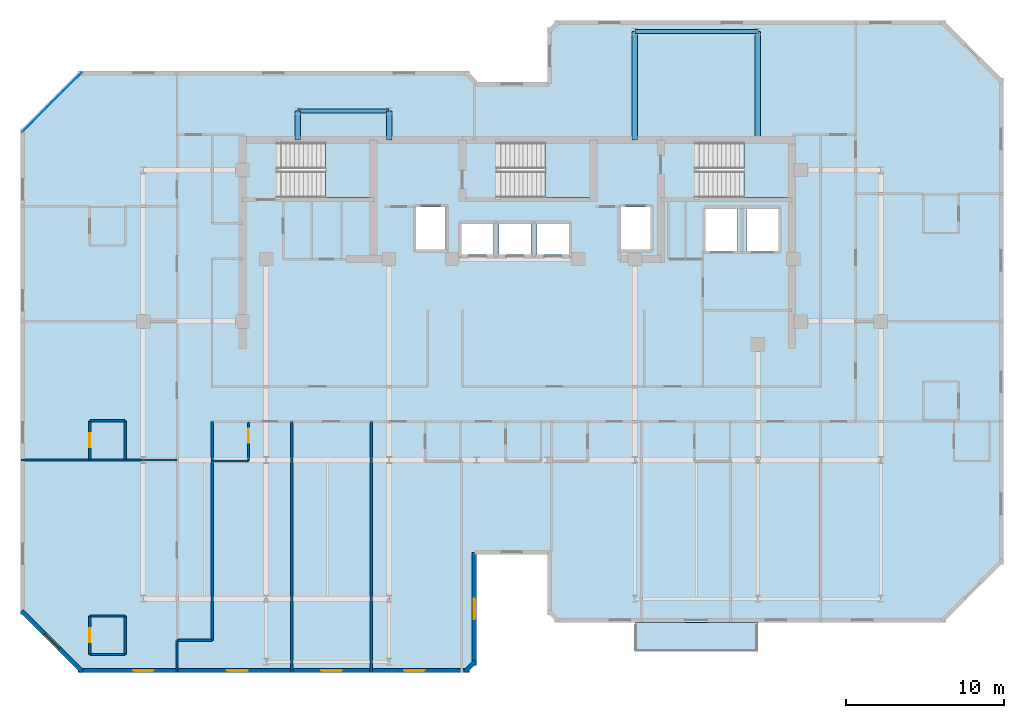
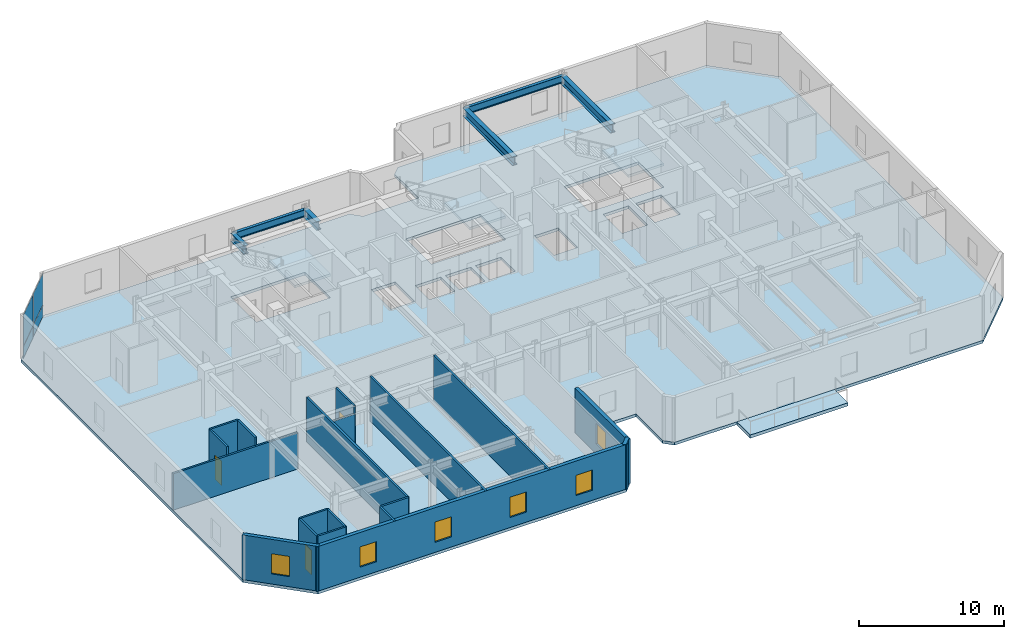
# One storey, part 3 of 11: 19 walls, 6 beams, 6 windows, 5 slabs, 4 plates, 3 doors, 9 openings, 4 elements without a shape of their own.
"""IFC4 building model written with IfcOpenShell, lengths in metres."""

from ifc_helpers import new_model, si_unit, direction, frame, frame_2d, origin, origin_2d, place, context, subcontext, project, spatial, polyline, rectangle, i_section, outline, extrude, material, layer, layer_set, material_profile, profile_set, type_object, element, fill, aggregate, save


model = new_model("IFC4")

# Units and contexts
model_context = context("Model", 3, precision=1e-05, world=origin(), true_north=direction((0.0, 1.0)))
body_context = subcontext(model_context, "Body", "Model", "MODEL_VIEW")
ifc_project = project(units=[si_unit("LENGTHUNIT", "METRE"), si_unit("AREAUNIT", "SQUARE_METRE"), si_unit("VOLUMEUNIT", "CUBIC_METRE"), si_unit("PLANEANGLEUNIT", "RADIAN"), si_unit("MASSUNIT", "GRAM", prefix="KILO")], contexts=[model_context])

# Site, building, storey
site_placement = place(None, origin())
site = spatial("IfcSite", under=ifc_project, at=site_placement, CompositionType="ELEMENT")
building_placement = place(site_placement, origin())
building = spatial("IfcBuilding", under=site, at=building_placement, Name="Kestravale Grand Hotel", CompositionType="ELEMENT")
storey_placement = place(building_placement, frame((0.0, 0.0, 289.39990234375)))
storey = spatial("IfcBuildingStorey", under=building, at=storey_placement, Name="L72", CompositionType="ELEMENT", Elevation=289.39990234375)

# Beams
ifc_material_1 = material(Name="Steel ASTM A992 Grade 50", Category="steel")
ifc_material_profile_1 = material_profile(ifc_material_1, i_section(OverallWidth=0.22900390625, OverallDepth=0.612060546875, WebThickness=0.011962890625, FlangeThickness=0.01953125, FilletRadius=0.019287109375, at=origin_2d()))
ifc_profile_set_1 = profile_set([ifc_material_profile_1], Name="Steel ASTM A992 Grade 50")
beam_type_1 = type_object("IfcBeamType", Name="B-FLR-W24B", PredefinedType="SPANDREL", material=ifc_profile_set_1)
beam_1_placement = place(storey_placement, frame((46.800048828125, 47.199951171875, 3.4541015625), z_axis=(1.0, 0.0, 0.0), x_axis=(0.0, 1.0, 0.0)))
element("IfcBeam", 1, at=beam_1_placement, inside=storey, type_object=beam_type_1, Name="L72 spandrel G:8-9", PredefinedType="SPANDREL", context=body_context, shape_type="SweptSolid", body=[
    extrude(i_section(OverallWidth=0.22900390625, OverallDepth=0.612060546875, WebThickness=0.011962890625, FlangeThickness=0.01953125, FilletRadius=0.019287109375, at=origin_2d()), origin(), (0.0, 0.0, 1.0), 7.800048828125),
])
beam_2_placement = place(storey_placement, frame((25.39990234375, 42.14990234375, 3.4541015625), z_axis=(1.0, 0.0, 0.0), x_axis=(0.0, 1.0, 0.0)))
element("IfcBeam", 2, at=beam_2_placement, inside=storey, type_object=beam_type_1, Name="L72 perimeter tie spandrel FN:4-5", PredefinedType="SPANDREL", context=body_context, shape_type="SweptSolid", body=[
    extrude(i_section(OverallWidth=0.22900390625, OverallDepth=0.612060546875, WebThickness=0.011962890625, FlangeThickness=0.01953125, FilletRadius=0.019287109375, at=origin_2d()), origin(), (0.0, 0.0, 1.0), 5.800048828125),
])
ifc_material_2 = material(Name="Steel ASTM A992 Grade 50", Category="steel")
ifc_material_profile_2 = material_profile(ifc_material_2, i_section(OverallWidth=0.35595703125, OverallDepth=0.696044921875, WebThickness=0.015380859375, FlangeThickness=0.02490234375, FilletRadius=0.021240234375, at=origin_2d()))
ifc_profile_set_2 = profile_set([ifc_material_profile_2], Name="Steel ASTM A992 Grade 50")
beam_type_2 = type_object("IfcBeamType", Name="B-GRD-W27", PredefinedType="BEAM", material=ifc_profile_set_2)
for number, where, z_axis, x_axis, name in (
    (3, (25.39990234375, 40.320068359375, 3.412109375), (0.0, 1.0, 0.0), (-1.0, 0.0, 0.0), "L72 north wing tie girder 4:CN-FN"),
    (4, (31.199951171875, 40.320068359375, 3.412109375), (0.0, 1.0, 0.0), (-1.0, 0.0, 0.0), "L72 north wing tie girder 5:CN-FN"),
):
    element("IfcBeam", number, at=place(storey_placement, frame(where, z_axis=z_axis, x_axis=x_axis)), inside=storey, type_object=beam_type_2, Name=name, PredefinedType="BEAM", context=body_context, shape_type="SweptSolid", body=[
        extrude(i_section(OverallWidth=0.35595703125, OverallDepth=0.696044921875, WebThickness=0.015380859375, FlangeThickness=0.02490234375, FilletRadius=0.021240234375, at=origin_2d()), origin(), (0.0, 0.0, 1.0), 1.829833984375),
    ])
for number, where, z_axis, x_axis, name in (
    (5, (46.800048828125, 40.320068359375, 3.412109375), (0.0, 1.0, 0.0), (-1.0, 0.0, 0.0), "L72 north wing tie girder 8:CN-G"),
    (6, (54.60009765625, 40.320068359375, 3.412109375), (0.0, 1.0, 0.0), (-1.0, 0.0, 0.0), "L72 north wing tie girder 9:CN-G"),
):
    element("IfcBeam", number, at=place(storey_placement, frame(where, z_axis=z_axis, x_axis=x_axis)), inside=storey, type_object=beam_type_2, Name=name, PredefinedType="BEAM", context=body_context, shape_type="SweptSolid", body=[
        extrude(i_section(OverallWidth=0.35595703125, OverallDepth=0.696044921875, WebThickness=0.015380859375, FlangeThickness=0.02490234375, FilletRadius=0.021240234375, at=origin_2d()), origin(), (0.0, 0.0, 1.0), 6.8798828125),
    ])

# Curtain wall, plates
ifc_material_3 = material(Name="Thermally broken champagne-bronze aluminium and low-E glazing", Category="aluminium")
ifc_layer_1 = layer(ifc_material_3, 0.179931640625)
ifc_layer_set_1 = layer_set([ifc_layer_1], Name="CW-Z4")
curtain_wall_type = type_object("IfcCurtainWallType", Name="CW-Z4", PredefinedType="NOTDEFINED", material=ifc_layer_set_1)
curtain_wall_placement = place(storey_placement, origin())
curtain_wall = element("IfcCurtainWall", 7, at=curtain_wall_placement, inside=storey, type_object=curtain_wall_type, Name="L72 unitised curtain wall 18", PredefinedType="NOTDEFINED")
ifc_material_4 = material(Name="Insulated clear low-E double glazing IGU", Category="glass")
ifc_layer_2 = layer(ifc_material_4, 0.028076171875)
ifc_layer_set_2 = layer_set([ifc_layer_2], Name="CW-PNL-28")
plate_type = type_object("IfcPlateType", Name="CW-PNL-28", PredefinedType="CURTAIN_PANEL", material=ifc_layer_set_2)
plate_1_placement = place(storey_placement, frame((10.74462890625, 43.646728515625, 0.06494140625), z_axis=(0.0, 0.0, 1.0), x_axis=(-0.707106781187, -0.707106781187, 0.0)))
plate_1 = element("IfcPlate", 8, at=plate_1_placement, type_object=plate_type, Name="CW-Z4 panel 1.1", PredefinedType="CURTAIN_PANEL", context=body_context, shape_type="SweptSolid", body=[
    extrude(rectangle(XDim=2.609619140625, YDim=0.028076171875, at=origin_2d()), origin(), (0.0, 0.0, 1.0), 0.952392578125),
])
plate_2_placement = place(storey_placement, frame((10.74462890625, 43.646728515625, 1.08251953125), z_axis=(0.0, 0.0, 1.0), x_axis=(-0.707106781187, -0.707106781187, 0.0)))
plate_2 = element("IfcPlate", 9, at=plate_2_placement, type_object=plate_type, Name="CW-Z4 panel 1.2", PredefinedType="CURTAIN_PANEL", context=body_context, shape_type="SweptSolid", body=[
    extrude(rectangle(XDim=2.609619140625, YDim=0.028076171875, at=origin_2d()), origin(), (0.0, 0.0, 1.0), 2.612548828125),
])
plate_3_placement = place(storey_placement, frame((8.853271484375, 41.75537109375, 0.06494140625), z_axis=(0.0, 0.0, 1.0), x_axis=(-0.707106781187, -0.707106781187, 0.0)))
plate_3 = element("IfcPlate", 10, at=plate_3_placement, type_object=plate_type, Name="CW-Z4 panel 2.1", PredefinedType="CURTAIN_PANEL", context=body_context, shape_type="SweptSolid", body=[
    extrude(rectangle(XDim=2.609619140625, YDim=0.028076171875, at=origin_2d()), origin(), (0.0, 0.0, 1.0), 0.952392578125),
])
plate_4_placement = place(storey_placement, frame((8.853271484375, 41.75537109375, 1.08251953125), z_axis=(0.0, 0.0, 1.0), x_axis=(-0.707106781187, -0.707106781187, 0.0)))
plate_4 = element("IfcPlate", 11, at=plate_4_placement, type_object=plate_type, Name="CW-Z4 panel 2.2", PredefinedType="CURTAIN_PANEL", context=body_context, shape_type="SweptSolid", body=[
    extrude(rectangle(XDim=2.609619140625, YDim=0.028076171875, at=origin_2d()), origin(), (0.0, 0.0, 1.0), 2.612548828125),
])
aggregate(curtain_wall, [plate_1, plate_2, plate_3, plate_4])

# Slab
ifc_material_5 = material(Name="Concrete f'c 45 MPa", Category="concrete")
ifc_layer_3 = layer(ifc_material_5, 0.27001953125)
ifc_layer_set_3 = layer_set([ifc_layer_3], Name="ES-TERR-270")
slab_type_1 = type_object("IfcSlabType", Name="ES-TERR-270", PredefinedType="FLOOR", material=ifc_layer_set_3)
slab_1_placement = place(storey_placement, frame((0.0, 0.0, -0.27001953125)))
element("IfcSlab", 12, at=slab_1_placement, inside=storey, type_object=slab_type_1, Name="L72 spiralling planted garden terrace", PredefinedType="FLOOR", context=body_context, shape_type="SweptSolid", body=[
    extrude(outline(polyline([(46.800048828125, 7.85009765625), (54.60009765625, 7.85009765625), (54.60009765625, 9.699951171875), (46.800048828125, 9.699951171875), (46.800048828125, 7.85009765625)])), origin(), (0.0, 0.0, 1.0), 0.27001953125),
])

# Stair, slab
ifc_material_6 = material(Name="Concrete f'c 45 MPa", Category="concrete")
stair_type = type_object("IfcStairType", Name="ST-CORE-400", PredefinedType="HALF_TURN_STAIR", material=ifc_material_6)
stair_1_placement = place(storey_placement, origin())
stair_1 = element("IfcStair", 13, at=stair_1_placement, inside=storey, type_object=stair_type, Name="L72 ST-1", PredefinedType="HALF_TURN_STAIR")
ifc_material_7 = material(Name="Concrete f'c 45 MPa", Category="concrete")
ifc_layer_4 = layer(ifc_material_7, 0.199951171875)
ifc_layer_set_4 = layer_set([ifc_layer_4], Name="SLB-ST-LND200")
slab_type_2 = type_object("IfcSlabType", Name="SLB-ST-LND200", PredefinedType="LANDING", material=ifc_layer_set_4)
slab_2_placement = place(storey_placement, frame((0.0, 0.0, 1.800048828125)))
slab_2 = element("IfcSlab", 14, at=slab_2_placement, type_object=slab_type_2, Name="ST-1 landing 1", PredefinedType="LANDING", context=body_context, shape_type="SweptSolid", body=[
    extrude(outline(polyline([(27.159912109375, 36.64990234375), (30.0, 36.64990234375), (30.0, 40.159912109375), (27.159912109375, 40.159912109375), (27.159912109375, 36.64990234375)])), origin(), (0.0, 0.0, 1.0), 0.199951171875),
])
aggregate(stair_1, [slab_2])

stair_2_placement = place(storey_placement, origin())
stair_2 = element("IfcStair", 15, at=stair_2_placement, inside=storey, type_object=stair_type, Name="L72 ST-2", PredefinedType="HALF_TURN_STAIR")
slab_3_placement = place(storey_placement, frame((0.0, 0.0, 1.800048828125)))
slab_3 = element("IfcSlab", 16, at=slab_3_placement, type_object=slab_type_2, Name="ST-2 landing 1", PredefinedType="LANDING", context=body_context, shape_type="SweptSolid", body=[
    extrude(outline(polyline([(41.110107421875, 36.64990234375), (43.949951171875, 36.64990234375), (43.949951171875, 40.159912109375), (41.110107421875, 40.159912109375), (41.110107421875, 36.64990234375)])), origin(), (0.0, 0.0, 1.0), 0.199951171875),
])
aggregate(stair_2, [slab_3])

stair_3_placement = place(storey_placement, origin())
stair_3 = element("IfcStair", 17, at=stair_3_placement, inside=storey, type_object=stair_type, Name="L72 ST-3", PredefinedType="HALF_TURN_STAIR")
slab_4_placement = place(storey_placement, frame((0.0, 0.0, 1.800048828125)))
slab_4 = element("IfcSlab", 18, at=slab_4_placement, type_object=slab_type_2, Name="ST-3 landing 1", PredefinedType="LANDING", context=body_context, shape_type="SweptSolid", body=[
    extrude(outline(polyline([(53.7099609375, 36.64990234375), (56.550048828125, 36.64990234375), (56.550048828125, 40.159912109375), (53.7099609375, 40.159912109375), (53.7099609375, 36.64990234375)])), origin(), (0.0, 0.0, 1.0), 0.199951171875),
])
aggregate(stair_3, [slab_4])

# Slab
ifc_material_8 = material(Name="Concrete f'c 45 MPa", Category="concrete")
ifc_layer_5 = layer(ifc_material_8, 0.239990234375)
ifc_layer_set_5 = layer_set([ifc_layer_5], Name="SS-FLR-240")
slab_type_3 = type_object("IfcSlabType", Name="SS-FLR-240", PredefinedType="FLOOR", material=ifc_layer_set_5)
slab_5_placement = place(storey_placement, frame((0.0, 0.0, -0.239990234375)))
element("IfcSlab", 19, at=slab_5_placement, inside=storey, type_object=slab_type_3, Name="L72 structural floor slab", PredefinedType="FLOOR", context=body_context, shape_type="SweptSolid", body=[
    extrude(outline(polyline([(11.60009765625, 6.5), (36.14990234375, 6.5), (36.75, 7.10009765625), (36.75, 14.0), (41.25, 14.0), (41.25, 10.300048828125), (41.85009765625, 9.699951171875), (66.39990234375, 9.699951171875), (70.199951171875, 13.5), (70.199951171875, 44.10009765625), (66.39990234375, 47.89990234375), (41.85009765625, 47.89990234375), (41.25, 47.300048828125), (41.25, 44.0), (36.75, 44.0), (36.75, 44.10009765625), (36.14990234375, 44.699951171875), (11.60009765625, 44.699951171875), (7.800048828125, 40.89990234375), (7.800048828125, 10.300048828125), (11.60009765625, 6.5)]), holes=[polyline([(24.080078125, 36.64990234375), (30.0, 36.64990234375), (30.0, 40.159912109375), (24.080078125, 40.159912109375), (24.080078125, 36.64990234375)]), polyline([(38.030029296875, 36.64990234375), (43.949951171875, 36.64990234375), (43.949951171875, 40.159912109375), (38.030029296875, 40.159912109375), (38.030029296875, 36.64990234375)]), polyline([(50.6298828125, 36.64990234375), (56.550048828125, 36.64990234375), (56.550048828125, 40.159912109375), (50.6298828125, 40.159912109375), (50.6298828125, 36.64990234375)]), polyline([(35.780029296875, 33.030029296875), (37.820068359375, 33.030029296875), (37.820068359375, 34.969970703125), (35.780029296875, 34.969970703125), (35.780029296875, 33.030029296875)]), polyline([(38.179931640625, 33.030029296875), (40.219970703125, 33.030029296875), (40.219970703125, 34.969970703125), (38.179931640625, 34.969970703125), (38.179931640625, 33.030029296875)]), polyline([(40.580078125, 33.030029296875), (42.6201171875, 33.030029296875), (42.6201171875, 34.969970703125), (40.580078125, 34.969970703125), (40.580078125, 33.030029296875)]), polyline([(32.905029296875, 33.35498046875), (34.794921875, 33.35498046875), (34.794921875, 36.044921875), (32.905029296875, 36.044921875), (32.905029296875, 33.35498046875)]), polyline([(45.905029296875, 33.35498046875), (47.794921875, 33.35498046875), (47.794921875, 36.044921875), (45.905029296875, 36.044921875), (45.905029296875, 33.35498046875)]), polyline([(51.280029296875, 33.280029296875), (53.320068359375, 33.280029296875), (53.320068359375, 35.919921875), (51.280029296875, 35.919921875), (51.280029296875, 33.280029296875)]), polyline([(53.8798828125, 33.280029296875), (55.919921875, 33.280029296875), (55.919921875, 35.919921875), (53.8798828125, 35.919921875), (53.8798828125, 33.280029296875)])]), origin(), (0.0, 0.0, 1.0), 0.239990234375),
])

# Wall, openings, windows
ifc_material_9 = material(Name="Precast concrete f'c 45 MPa", Category="concrete")
ifc_layer_6 = layer(ifc_material_9, 0.280029296875)
ifc_layer_set_6 = layer_set([ifc_layer_6], Name="EW-PREC-280")
wall_type_1 = type_object("IfcWallType", Name="EW-PREC-280", PredefinedType="SOLIDWALL", material=ifc_layer_set_6)
wall_1_placement = place(storey_placement, frame((11.4599609375, 6.639892578125, 0.0), z_axis=(0.0, 0.0, 1.0), x_axis=(1.0, 0.0, 0.0)))
wall_1 = element("IfcWall", 20, at=wall_1_placement, inside=storey, type_object=wall_type_1, Name="L72 fluted precast facade wall 1", PredefinedType="SOLIDWALL", context=body_context, shape_type="SweptSolid", body=[
    extrude(rectangle(XDim=24.830078125, YDim=0.280029296875, at=frame_2d((12.4150390625, 0.0))), origin(), (0.0, 0.0, 1.0), 3.760009765625),
])
opening_1_placement = place(wall_1_placement, frame((3.48828125, 0.0, 0.85009765625)))
opening_1 = element("IfcOpeningElement", 21, at=opening_1_placement, cuts=wall_1, Name="Opening W-GUEST-1300", PredefinedType="OPENING", context=body_context, shape_type="SweptSolid", body=[
    extrude(rectangle(XDim=1.300048828125, YDim=1.699951171875, at=frame_2d((0.64990234375, 0.85009765625))), frame((0.0, 0.14990234375, 0.0), z_axis=(0.0, -1.0, 0.0), x_axis=(1.0, 0.0, 0.0)), (0.0, 0.0, 1.0), 0.300048828125),
])
opening_2_placement = place(wall_1_placement, frame((20.691650390625, 0.0, 0.85009765625)))
opening_2 = element("IfcOpeningElement", 22, at=opening_2_placement, cuts=wall_1, Name="Opening W-GUEST-1300", PredefinedType="OPENING", context=body_context, shape_type="SweptSolid", body=[
    extrude(rectangle(XDim=1.300048828125, YDim=1.699951171875, at=frame_2d((0.64990234375, 0.85009765625))), frame((0.0, 0.14990234375, 0.0), z_axis=(0.0, -1.0, 0.0), x_axis=(1.0, 0.0, 0.0)), (0.0, 0.0, 1.0), 0.300048828125),
])
opening_3_placement = place(wall_1_placement, frame((9.47509765625, 0.0, 0.85009765625)))
opening_3 = element("IfcOpeningElement", 23, at=opening_3_placement, cuts=wall_1, Name="Opening W-GUEST-1300", PredefinedType="OPENING", context=body_context, shape_type="SweptSolid", body=[
    extrude(rectangle(XDim=1.300048828125, YDim=1.699951171875, at=frame_2d((0.64990234375, 0.85009765625))), frame((0.0, 0.14990234375, 0.0), z_axis=(0.0, -1.0, 0.0), x_axis=(1.0, 0.0, 0.0)), (0.0, 0.0, 1.0), 0.300048828125),
])
opening_4_placement = place(wall_1_placement, frame((15.43505859375, 0.0, 0.85009765625)))
opening_4 = element("IfcOpeningElement", 24, at=opening_4_placement, cuts=wall_1, Name="Opening W-GUEST-1300", PredefinedType="OPENING", context=body_context, shape_type="SweptSolid", body=[
    extrude(rectangle(XDim=1.300048828125, YDim=1.699951171875, at=frame_2d((0.64990234375, 0.85009765625))), frame((0.0, 0.14990234375, 0.0), z_axis=(0.0, -1.0, 0.0), x_axis=(1.0, 0.0, 0.0)), (0.0, 0.0, 1.0), 0.300048828125),
])
ifc_material_10 = material(Name="Insulated low-E double glazing in aluminium frame", Category="aluminium")
window_type = type_object("IfcWindowType", Name="W-GUEST-1300", PartitioningType="SINGLE_PANEL", PredefinedType="WINDOW", material=ifc_material_10)
window_1_placement = place(opening_1_placement, origin())
window_1 = element("IfcWindow", 25, at=window_1_placement, inside=storey, type_object=window_type, Name="L72 exterior window 1.1", OverallHeight=1.699951171875, OverallWidth=1.300048828125, PartitioningType="SINGLE_PANEL", PredefinedType="WINDOW", context=body_context, shape_type="SweptSolid", body=[
    extrude(rectangle(XDim=1.300048828125, YDim=1.699951171875, at=frame_2d((0.64990234375, 0.85009765625))), frame((0.0, 0.030029296875, 0.0), z_axis=(0.0, -1.0, 0.0), x_axis=(1.0, 0.0, 0.0)), (0.0, 0.0, 1.0), 0.06005859375),
])
fill(opening_1, window_1)
window_2_placement = place(opening_2_placement, origin())
window_2 = element("IfcWindow", 26, at=window_2_placement, inside=storey, type_object=window_type, Name="L72 exterior window 1.2", OverallHeight=1.699951171875, OverallWidth=1.300048828125, PartitioningType="SINGLE_PANEL", PredefinedType="WINDOW", context=body_context, shape_type="SweptSolid", body=[
    extrude(rectangle(XDim=1.300048828125, YDim=1.699951171875, at=frame_2d((0.64990234375, 0.85009765625))), frame((0.0, 0.030029296875, 0.0), z_axis=(0.0, -1.0, 0.0), x_axis=(1.0, 0.0, 0.0)), (0.0, 0.0, 1.0), 0.06005859375),
])
fill(opening_2, window_2)
window_3_placement = place(opening_3_placement, origin())
window_3 = element("IfcWindow", 27, at=window_3_placement, inside=storey, type_object=window_type, Name="L72 guestroom envelope window 1", OverallHeight=1.699951171875, OverallWidth=1.300048828125, PartitioningType="SINGLE_PANEL", PredefinedType="WINDOW", context=body_context, shape_type="SweptSolid", body=[
    extrude(rectangle(XDim=1.300048828125, YDim=1.699951171875, at=frame_2d((0.64990234375, 0.85009765625))), frame((0.0, 0.030029296875, 0.0), z_axis=(0.0, -1.0, 0.0), x_axis=(1.0, 0.0, 0.0)), (0.0, 0.0, 1.0), 0.06005859375),
])
fill(opening_3, window_3)
window_4_placement = place(opening_4_placement, origin())
window_4 = element("IfcWindow", 28, at=window_4_placement, inside=storey, type_object=window_type, Name="L72 guestroom envelope window 2", OverallHeight=1.699951171875, OverallWidth=1.300048828125, PartitioningType="SINGLE_PANEL", PredefinedType="WINDOW", context=body_context, shape_type="SweptSolid", body=[
    extrude(rectangle(XDim=1.300048828125, YDim=1.699951171875, at=frame_2d((0.64990234375, 0.85009765625))), frame((0.0, 0.030029296875, 0.0), z_axis=(0.0, -1.0, 0.0), x_axis=(1.0, 0.0, 0.0)), (0.0, 0.0, 1.0), 0.06005859375),
])
fill(opening_4, window_4)

# Wall
wall_2_placement = place(storey_placement, frame((36.022705078125, 6.57080078125, 0.0), z_axis=(0.0, 0.0, 1.0), x_axis=(0.707106781187, 0.707106781187, 0.0)))
element("IfcWall", 29, at=wall_2_placement, inside=storey, type_object=wall_type_1, Name="L72 fluted precast facade wall 2", PredefinedType="SOLIDWALL", context=body_context, shape_type="SweptSolid", body=[
    extrude(rectangle(XDim=0.928466796875, YDim=0.280029296875, at=frame_2d((0.46435546875, 0.0))), origin(), (0.0, 0.0, 1.0), 3.760009765625),
])

# Wall, opening, window
wall_3_placement = place(storey_placement, frame((36.610107421875, 6.9599609375, 0.0), z_axis=(0.0, 0.0, 1.0), x_axis=(0.0, 1.0, 0.0)))
wall_3 = element("IfcWall", 30, at=wall_3_placement, inside=storey, type_object=wall_type_1, Name="L72 fluted precast facade wall 3", PredefinedType="SOLIDWALL", context=body_context, shape_type="SweptSolid", body=[
    extrude(rectangle(XDim=7.179931640625, YDim=0.280029296875, at=frame_2d((3.58984375, 0.0))), origin(), (0.0, 0.0, 1.0), 3.760009765625),
])
opening_5_placement = place(wall_3_placement, frame((2.93994140625, 0.0, 0.85009765625)))
opening_5 = element("IfcOpeningElement", 31, at=opening_5_placement, cuts=wall_3, Name="Opening W-GUEST-1300", PredefinedType="OPENING", context=body_context, shape_type="SweptSolid", body=[
    extrude(rectangle(XDim=1.300048828125, YDim=1.699951171875, at=frame_2d((0.64990234375, 0.85009765625))), frame((0.0, 0.14990234375, 0.0), z_axis=(0.0, -1.0, 0.0), x_axis=(1.0, 0.0, 0.0)), (0.0, 0.0, 1.0), 0.300048828125),
])
window_5_placement = place(opening_5_placement, origin())
window_5 = element("IfcWindow", 32, at=window_5_placement, inside=storey, type_object=window_type, Name="L72 exterior window 3.1", OverallHeight=1.699951171875, OverallWidth=1.300048828125, PartitioningType="SINGLE_PANEL", PredefinedType="WINDOW", context=body_context, shape_type="SweptSolid", body=[
    extrude(rectangle(XDim=1.300048828125, YDim=1.699951171875, at=frame_2d((0.64990234375, 0.85009765625))), frame((0.0, 0.030029296875, 0.0), z_axis=(0.0, -1.0, 0.0), x_axis=(1.0, 0.0, 0.0)), (0.0, 0.0, 1.0), 0.06005859375),
])
fill(opening_5, window_5)

wall_4_placement = place(storey_placement, frame((7.87060546875, 10.42724609375, 0.0), z_axis=(0.0, 0.0, 1.0), x_axis=(0.707129162587, -0.707084399077, 0.0)))
wall_4 = element("IfcWall", 33, at=wall_4_placement, inside=storey, type_object=wall_type_1, Name="L72 fluted precast facade wall 20", PredefinedType="SOLIDWALL", context=body_context, shape_type="SweptSolid", body=[
    extrude(rectangle(XDim=5.4541015625, YDim=0.280029296875, at=frame_2d((2.72705078125, 0.0))), origin(), (0.0, 0.0, 1.0), 3.760009765625),
])
opening_6_placement = place(wall_4_placement, frame((2.076904296875, 0.0, 0.85009765625)))
opening_6 = element("IfcOpeningElement", 34, at=opening_6_placement, cuts=wall_4, Name="Opening W-GUEST-1300", PredefinedType="OPENING", context=body_context, shape_type="SweptSolid", body=[
    extrude(rectangle(XDim=1.300048828125, YDim=1.699951171875, at=frame_2d((0.64990234375, 0.85009765625))), frame((0.0, 0.14990234375, 0.0), z_axis=(0.0, -1.0, 0.0), x_axis=(1.0, 0.0, 0.0)), (0.0, 0.0, 1.0), 0.300048828125),
])
window_6_placement = place(opening_6_placement, origin())
window_6 = element("IfcWindow", 35, at=window_6_placement, inside=storey, type_object=window_type, Name="L72 exterior window 20.1", OverallHeight=1.699951171875, OverallWidth=1.300048828125, PartitioningType="SINGLE_PANEL", PredefinedType="WINDOW", context=body_context, shape_type="SweptSolid", body=[
    extrude(rectangle(XDim=1.300048828125, YDim=1.699951171875, at=frame_2d((0.64990234375, 0.85009765625))), frame((0.0, 0.030029296875, 0.0), z_axis=(0.0, -1.0, 0.0), x_axis=(1.0, 0.0, 0.0)), (0.0, 0.0, 1.0), 0.06005859375),
])
fill(opening_6, window_6)

# Wall
ifc_material_11 = material(Name="Acoustic fire-rated gypsum board partition", Category="other")
ifc_layer_7 = layer(ifc_material_11, 0.159912109375)
ifc_layer_set_7 = layer_set([ifc_layer_7], Name="IW-CORR-160")
wall_type_2 = type_object("IfcWallType", Name="IW-CORR-160", PredefinedType="PARTITIONING", material=ifc_layer_set_7)
wall_5_placement = place(storey_placement, frame((19.9599609375, 8.550048828125, 0.0), z_axis=(0.0, 0.0, 1.0), x_axis=(0.0, 1.0, 0.0)))
element("IfcWall", 36, at=wall_5_placement, inside=storey, type_object=wall_type_2, Name="W-L72-SW-E", PredefinedType="PARTITIONING", context=body_context, shape_type="SweptSolid", body=[
    extrude(rectangle(XDim=13.889892578125, YDim=0.159912109375, at=frame_2d((6.94482421875, 0.0))), origin(), (0.0, 0.0, 1.0), 3.760009765625),
])

# Wall, opening, door
ifc_material_12 = material(Name="Moisture-resistant tile-backer plumbing chase wall", Category="other")
ifc_layer_8 = layer(ifc_material_12, 0.139892578125)
ifc_layer_set_8 = layer_set([ifc_layer_8], Name="IW-PLB-140")
wall_type_3 = type_object("IfcWallType", Name="IW-PLB-140", PredefinedType="PLUMBINGWALL", material=ifc_layer_set_8)
wall_6_placement = place(storey_placement, frame((22.27001953125, 19.929931640625, 0.0), z_axis=(0.0, 0.0, 1.0), x_axis=(0.0, 1.0, 0.0)))
wall_6 = element("IfcWall", 37, at=wall_6_placement, inside=storey, type_object=wall_type_3, Name="W-L72-U01-BE", PredefinedType="PLUMBINGWALL", context=body_context, shape_type="SweptSolid", body=[
    extrude(rectangle(XDim=2.489990234375, YDim=0.139892578125, at=frame_2d((1.2451171875, 0.0))), origin(), (0.0, 0.0, 1.0), 3.760009765625),
])
opening_7_placement = place(wall_6_placement, frame((1.169921875, 0.0, 0.0)))
opening_7 = element("IfcOpeningElement", 38, at=opening_7_placement, cuts=wall_6, Name="Opening D-BATH-880", PredefinedType="OPENING", context=body_context, shape_type="SweptSolid", body=[
    extrude(rectangle(XDim=0.8798828125, YDim=2.050048828125, at=frame_2d((0.43994140625, 1.02490234375))), frame((0.0, 0.079833984375, 0.0), z_axis=(0.0, -1.0, 0.0), x_axis=(1.0, 0.0, 0.0)), (0.0, 0.0, 1.0), 0.159912109375),
])
ifc_material_13 = material(Name="Moisture-sealed walnut en-suite bathroom door", Category="wood")
door_type = type_object("IfcDoorType", Name="D-BATH-880", OperationType="NOTDEFINED", PredefinedType="DOOR", material=ifc_material_13)
door_1_placement = place(opening_7_placement, origin())
door_1 = element("IfcDoor", 39, at=door_1_placement, inside=storey, type_object=door_type, Name="D-L72-U01-BATH", OperationType="SINGLE_SWING_RIGHT", OverallHeight=2.050048828125, OverallWidth=0.8798828125, PredefinedType="DOOR", context=body_context, shape_type="SweptSolid", body=[
    extrude(rectangle(XDim=0.8798828125, YDim=2.050048828125, at=frame_2d((0.43994140625, 1.02490234375))), frame((0.0, 0.02490234375, 0.0), z_axis=(0.0, -1.0, 0.0), x_axis=(1.0, 0.0, 0.0)), (0.0, 0.0, 1.0), 0.050048828125),
])
fill(opening_7, door_1)

# Wall
wall_7_placement = place(storey_placement, frame((20.02001953125, 19.929931640625, 0.0), z_axis=(0.0, 0.0, 1.0), x_axis=(1.0, 0.0, 0.0)))
element("IfcWall", 40, at=wall_7_placement, inside=storey, type_object=wall_type_3, Name="W-L72-U01-BS", PredefinedType="PLUMBINGWALL", context=body_context, shape_type="SweptSolid", body=[
    extrude(rectangle(XDim=2.25, YDim=0.139892578125, at=frame_2d((1.125, 0.0))), origin(), (0.0, 0.0, 1.0), 3.064208984375),
])

# Wall, opening, door
wall_8_placement = place(storey_placement, frame((12.199951171875, 7.64990234375, 0.0), z_axis=(0.0, 0.0, 1.0), x_axis=(0.0, 1.0, 0.0)))
wall_8 = element("IfcWall", 41, at=wall_8_placement, inside=storey, type_object=wall_type_3, Name="W-L72-U06-BW", PredefinedType="PLUMBINGWALL", context=body_context, shape_type="SweptSolid", body=[
    extrude(rectangle(XDim=2.4501953125, YDim=0.139892578125, at=frame_2d((1.22509765625, 0.0))), origin(), (0.0, 0.0, 1.0), 3.760009765625),
])
opening_8_placement = place(wall_8_placement, frame((0.784912109375, 0.0, 0.0)))
opening_8 = element("IfcOpeningElement", 42, at=opening_8_placement, cuts=wall_8, Name="Opening D-BATH-880", PredefinedType="OPENING", context=body_context, shape_type="SweptSolid", body=[
    extrude(rectangle(XDim=0.8798828125, YDim=2.050048828125, at=frame_2d((0.43994140625, 1.02490234375))), frame((0.0, 0.079833984375, 0.0), z_axis=(0.0, -1.0, 0.0), x_axis=(1.0, 0.0, 0.0)), (0.0, 0.0, 1.0), 0.159912109375),
])
door_2_placement = place(opening_8_placement, origin())
door_2 = element("IfcDoor", 43, at=door_2_placement, inside=storey, type_object=door_type, Name="D-L72-U06-BATH", OperationType="SINGLE_SWING_RIGHT", OverallHeight=2.050048828125, OverallWidth=0.8798828125, PredefinedType="DOOR", context=body_context, shape_type="SweptSolid", body=[
    extrude(rectangle(XDim=0.8798828125, YDim=2.050048828125, at=frame_2d((0.43994140625, 1.02490234375))), frame((0.0, 0.02490234375, 0.0), z_axis=(0.0, -1.0, 0.0), x_axis=(1.0, 0.0, 0.0)), (0.0, 0.0, 1.0), 0.050048828125),
])
fill(opening_8, door_2)

# Walls
wall_9_placement = place(storey_placement, frame((14.449951171875, 7.64990234375, 0.0), z_axis=(0.0, 0.0, 1.0), x_axis=(0.0, 1.0, 0.0)))
element("IfcWall", 44, at=wall_9_placement, inside=storey, type_object=wall_type_3, Name="W-L72-U06-BE", PredefinedType="PLUMBINGWALL", context=body_context, shape_type="SweptSolid", body=[
    extrude(rectangle(XDim=2.4501953125, YDim=0.139892578125, at=frame_2d((1.22509765625, 0.0))), origin(), (0.0, 0.0, 1.0), 3.760009765625),
])
for number, where, z_axis, x_axis, name in (
    (45, (12.199951171875, 7.64990234375, 0.0), (0.0, 0.0, 1.0), (1.0, 0.0, 0.0), "W-L72-U06-BS"),
    (46, (12.199951171875, 10.10009765625, 0.0), (0.0, 0.0, 1.0), (1.0, 0.0, 0.0), "W-L72-U06-BN"),
):
    element("IfcWall", number, at=place(storey_placement, frame(where, z_axis=z_axis, x_axis=x_axis)), inside=storey, type_object=wall_type_3, Name=name, PredefinedType="PLUMBINGWALL", context=body_context, shape_type="SweptSolid", body=[
        extrude(rectangle(XDim=2.25, YDim=0.139892578125, at=frame_2d((1.125, 0.0))), origin(), (0.0, 0.0, 1.0), 3.760009765625),
    ])

# Wall, opening, door
wall_10_placement = place(storey_placement, frame((12.199951171875, 20.0400390625, 0.0), z_axis=(0.0, 0.0, 1.0), x_axis=(0.0, 1.0, 0.0)))
wall_10 = element("IfcWall", 47, at=wall_10_placement, inside=storey, type_object=wall_type_3, Name="W-L72-U07-BW", PredefinedType="PLUMBINGWALL", context=body_context, shape_type="SweptSolid", body=[
    extrude(rectangle(XDim=2.449951171875, YDim=0.139892578125, at=frame_2d((1.22509765625, 0.0))), origin(), (0.0, 0.0, 1.0), 3.760009765625),
])
opening_9_placement = place(wall_10_placement, frame((0.784912109375, 0.0, 0.0)))
opening_9 = element("IfcOpeningElement", 48, at=opening_9_placement, cuts=wall_10, Name="Opening D-BATH-880", PredefinedType="OPENING", context=body_context, shape_type="SweptSolid", body=[
    extrude(rectangle(XDim=0.8798828125, YDim=2.050048828125, at=frame_2d((0.43994140625, 1.02490234375))), frame((0.0, 0.079833984375, 0.0), z_axis=(0.0, -1.0, 0.0), x_axis=(1.0, 0.0, 0.0)), (0.0, 0.0, 1.0), 0.159912109375),
])
door_3_placement = place(opening_9_placement, origin())
door_3 = element("IfcDoor", 49, at=door_3_placement, inside=storey, type_object=door_type, Name="D-L72-U07-BATH", OperationType="SINGLE_SWING_RIGHT", OverallHeight=2.050048828125, OverallWidth=0.8798828125, PredefinedType="DOOR", context=body_context, shape_type="SweptSolid", body=[
    extrude(rectangle(XDim=0.8798828125, YDim=2.050048828125, at=frame_2d((0.43994140625, 1.02490234375))), frame((0.0, 0.02490234375, 0.0), z_axis=(0.0, -1.0, 0.0), x_axis=(1.0, 0.0, 0.0)), (0.0, 0.0, 1.0), 0.050048828125),
])
fill(opening_9, door_3)

# Walls
wall_11_placement = place(storey_placement, frame((14.449951171875, 20.0400390625, 0.0), z_axis=(0.0, 0.0, 1.0), x_axis=(0.0, 1.0, 0.0)))
element("IfcWall", 50, at=wall_11_placement, inside=storey, type_object=wall_type_3, Name="W-L72-U07-BE", PredefinedType="PLUMBINGWALL", context=body_context, shape_type="SweptSolid", body=[
    extrude(rectangle(XDim=2.449951171875, YDim=0.139892578125, at=frame_2d((1.22509765625, 0.0))), origin(), (0.0, 0.0, 1.0), 3.760009765625),
])
wall_12_placement = place(storey_placement, frame((12.199951171875, 22.489990234375, 0.0), z_axis=(0.0, 0.0, 1.0), x_axis=(1.0, 0.0, 0.0)))
element("IfcWall", 51, at=wall_12_placement, inside=storey, type_object=wall_type_3, Name="W-L72-U07-BN", PredefinedType="PLUMBINGWALL", context=body_context, shape_type="SweptSolid", body=[
    extrude(rectangle(XDim=2.25, YDim=0.139892578125, at=frame_2d((1.125, 0.0))), origin(), (0.0, 0.0, 1.0), 3.760009765625),
])
ifc_material_14 = material(Name="Double-stud STC 52 acoustic demising partition", Category="other")
ifc_layer_9 = layer(ifc_material_14, 0.14990234375)
ifc_layer_set_9 = layer_set([ifc_layer_9], Name="IW-UNIT-150")
wall_type_4 = type_object("IfcWallType", Name="IW-UNIT-150", PredefinedType="PARTITIONING", material=ifc_layer_set_9)
wall_13_placement = place(storey_placement, frame((17.739990234375, 8.550048828125, 0.0), z_axis=(0.0, 0.0, 1.0), x_axis=(1.0, 0.0, 0.0)))
element("IfcWall", 52, at=wall_13_placement, inside=storey, type_object=wall_type_4, Name="W-L72-SW-S", PredefinedType="PARTITIONING", context=body_context, shape_type="SweptSolid", body=[
    extrude(rectangle(XDim=2.219970703125, YDim=0.14990234375, at=frame_2d((1.10986328125, 0.0))), origin(), (0.0, 0.0, 1.0), 3.760009765625),
])
for number, where, z_axis, x_axis, name in (
    (53, (25.010009765625, 6.52001953125, 0.0), (0.0, 0.0, 1.0), (0.0, 1.0, 0.0), "W-L72-WS-1"),
    (54, (30.06005859375, 6.52001953125, 0.0), (0.0, 0.0, 1.0), (0.0, 1.0, 0.0), "W-L72-WS-2"),
):
    element("IfcWall", number, at=place(storey_placement, frame(where, z_axis=z_axis, x_axis=x_axis)), inside=storey, type_object=wall_type_4, Name=name, PredefinedType="PARTITIONING", context=body_context, shape_type="SweptSolid", body=[
        extrude(rectangle(XDim=15.919921875, YDim=0.14990234375, at=frame_2d((7.9599609375, 0.0))), origin(), (0.0, 0.0, 1.0), 3.760009765625),
    ])
wall_14_placement = place(storey_placement, frame((17.739990234375, 6.52001953125, 0.0), z_axis=(0.0, 0.0, 1.0), x_axis=(0.0, 1.0, 0.0)))
element("IfcWall", 55, at=wall_14_placement, inside=storey, type_object=wall_type_4, Name="W-L72-SW-EXT", PredefinedType="PARTITIONING", context=body_context, shape_type="SweptSolid", body=[
    extrude(rectangle(XDim=2.030029296875, YDim=0.14990234375, at=frame_2d((1.01513671875, 0.0))), origin(), (0.0, 0.0, 1.0), 3.760009765625),
])
wall_15_placement = place(storey_placement, frame((7.820068359375, 20.0, 0.0), z_axis=(0.0, 0.0, 1.0), x_axis=(1.0, 0.0, 0.0)))
element("IfcWall", 56, at=wall_15_placement, inside=storey, type_object=wall_type_4, Name="W-L72-WW-1", PredefinedType="PARTITIONING", context=body_context, shape_type="SweptSolid", body=[
    extrude(rectangle(XDim=9.919921875, YDim=0.14990234375, at=frame_2d((4.9599609375, 0.0))), origin(), (0.0, 0.0, 1.0), 3.064208984375),
])

save(model, "model.ifc")
